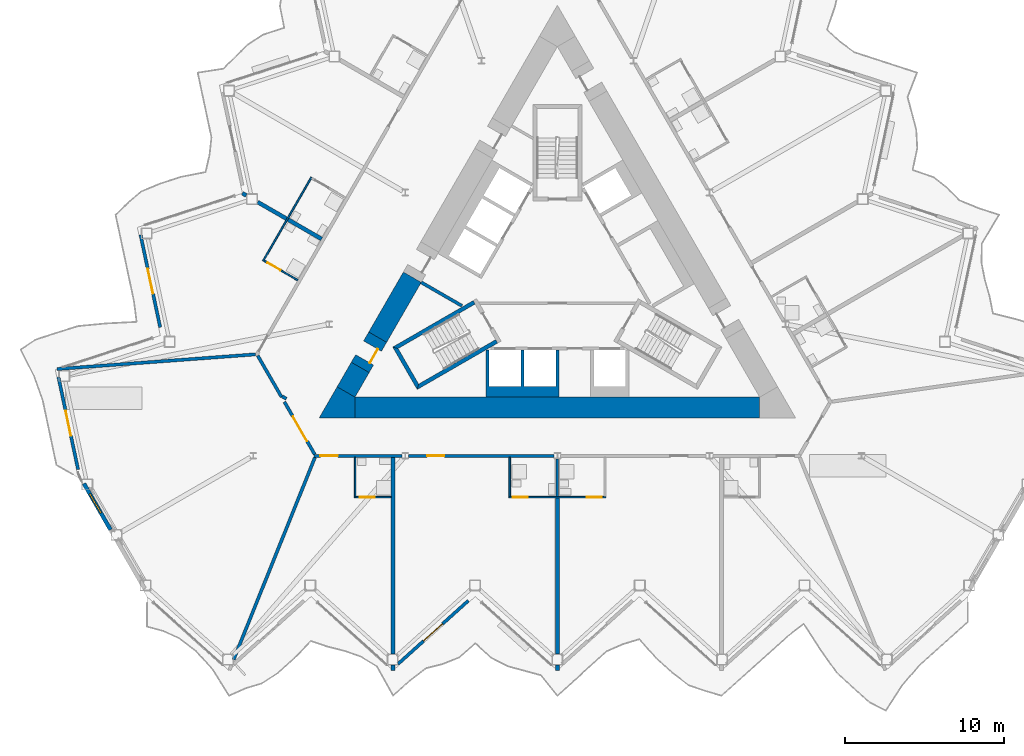
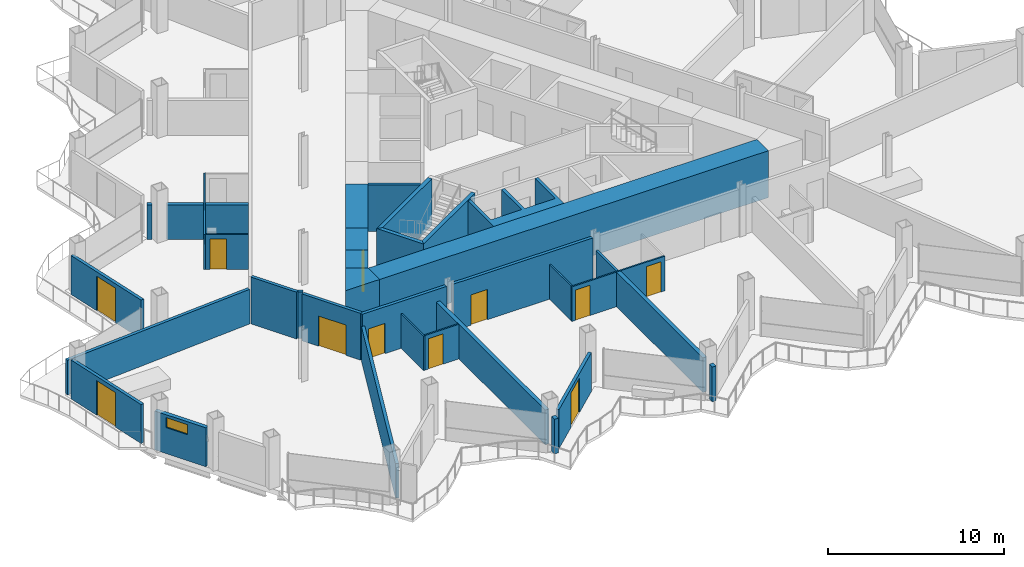
# One storey, part 11 of 24: 34 walls, 11 doors, 1 window, 12 openings.
"""IFC4 building model written with IfcOpenShell, lengths in metres."""

from ifc_helpers import new_model, si_unit, direction, frame, frame_2d, origin, place, context, subcontext, project, spatial, polyline, rectangle, outline, extrude, material, layer, layer_set, type_object, element, fill, save


model = new_model("IFC4")

# Units and contexts
model_context = context("Model", 3, precision=1e-05, world=origin(), true_north=direction((0.0, 1.0)))
body_context = subcontext(model_context, "Body", "Model", "MODEL_VIEW")
ifc_project = project(units=[si_unit("LENGTHUNIT", "METRE"), si_unit("AREAUNIT", "SQUARE_METRE"), si_unit("VOLUMEUNIT", "CUBIC_METRE"), si_unit("PLANEANGLEUNIT", "RADIAN"), si_unit("MASSUNIT", "GRAM", prefix="KILO")], contexts=[model_context])

# Site, building, storey
site_placement = place(None, origin())
site = spatial("IfcSite", under=ifc_project, at=site_placement, CompositionType="ELEMENT")
building_placement = place(site_placement, origin())
building = spatial("IfcBuilding", under=site, at=building_placement, Name="Cormorant Prow Tower", CompositionType="ELEMENT")
storey_placement = place(building_placement, frame((0.0, 0.0, 238.199951171875)))
storey = spatial("IfcBuildingStorey", under=building, at=storey_placement, Name="L52", CompositionType="ELEMENT", Elevation=238.199951171875)

# Walls
ifc_material_1 = material(Name="Concrete 8000 psi", Category="concrete")
ifc_layer_1 = layer(ifc_material_1, 1.300048828125)
ifc_layer_set_1 = layer_set([ifc_layer_1], Name="Concrete 8000 psi")
wall_type_1 = type_object("IfcWallType", Name="Core shear wall 1300", PredefinedType="SHEAR", material=ifc_layer_set_1)
wall_1_placement = place(storey_placement, frame((-12.748291015625, -8.01025390625, 0.0), z_axis=(0.0, 0.0, 1.0), x_axis=(1.0, 0.0, 0.0)))
element("IfcWall", 1, at=wall_1_placement, inside=storey, type_object=wall_type_1, Name="Core wall", PredefinedType="SHEAR", context=body_context, shape_type="SweptSolid", body=[
    extrude(rectangle(XDim=25.49658203125, YDim=1.300048828125, at=frame_2d((12.748291015625, 0.0))), origin(), (0.0, 0.0, 1.0), 3.25),
])
wall_2_placement = place(storey_placement, frame((-9.13720703125, 0.194580078125, 0.0), z_axis=(0.0, 0.0, 1.0), x_axis=(-0.499985697398, -0.866033661238, 0.0)))
element("IfcWall", 2, at=wall_2_placement, inside=storey, type_object=wall_type_1, Name="Core wall", PredefinedType="SHEAR", context=body_context, shape_type="SweptSolid", body=[
    extrude(rectangle(XDim=4.362060546875, YDim=1.300048828125, at=frame_2d((2.18115234375, 0.0))), origin(), (0.0, 0.0, 1.0), 3.25),
])
wall_3_placement = place(storey_placement, frame((-12.418212890625, -5.48828125, 0.0), z_axis=(0.0, 0.0, 1.0), x_axis=(-0.499931460552, -0.866064971437, 0.0)))
element("IfcWall", 3, at=wall_3_placement, inside=storey, type_object=wall_type_1, Name="Core wall", PredefinedType="SHEAR", context=body_context, shape_type="SweptSolid", body=[
    extrude(rectangle(XDim=1.786376953125, YDim=1.300048828125, at=frame_2d((0.89306640625, 0.0))), origin(), (0.0, 0.0, 1.0), 3.25),
])
wall_4_placement = place(storey_placement, origin())
element("IfcWall", 4, at=wall_4_placement, inside=storey, type_object=wall_type_1, Name="Core wall corner", PredefinedType="SHEAR", context=body_context, shape_type="SweptSolid", body=[
    extrude(outline(polyline([(-13.874267578125, -6.710205078125), (-12.748291015625, -7.3603515625), (-12.748291015625, -8.660400390625), (-15.0, -8.660400390625), (-13.874267578125, -6.710205078125)])), origin(), (0.0, 0.0, 1.0), 3.25),
])

# Wall, opening, door
wall_5_placement = place(storey_placement, frame((-11.318115234375, -3.5830078125, 0.0), z_axis=(0.0, 0.0, 1.0), x_axis=(-0.50002983664, -0.866008176907, 0.0)))
wall_5 = element("IfcWall", 5, at=wall_5_placement, inside=storey, type_object=wall_type_1, Name="Core wall door panel", PredefinedType="SHEAR", context=body_context, shape_type="SweptSolid", body=[
    extrude(rectangle(XDim=2.199951171875, YDim=1.300048828125, at=frame_2d((1.10009765625, 0.0))), origin(), (0.0, 0.0, 1.0), 3.25),
])
opening_1_placement = place(wall_5_placement, frame((0.64990234375, 0.0, 0.0)))
opening_1 = element("IfcOpeningElement", 6, at=opening_1_placement, cuts=wall_5, Name="Opening L52-C14", PredefinedType="OPENING", context=body_context, shape_type="SweptSolid", body=[
    extrude(rectangle(XDim=1.0, YDim=2.10009765625, at=frame_2d((0.5, 1.050048828125))), frame((0.0, 0.659912109375, 0.0), z_axis=(0.0, -1.0, 0.0), x_axis=(1.0, 0.0, 0.0)), (0.0, 0.0, 1.0), 1.320068359375),
])
ifc_material_2 = material(Name="Painted steel", Category="steel")
door_type_1 = type_object("IfcDoorType", Name="Service door 1000x2100", OperationType="NOTDEFINED", PredefinedType="DOOR", material=ifc_material_2)
door_1_placement = place(opening_1_placement, origin())
door_1 = element("IfcDoor", 7, at=door_1_placement, inside=storey, type_object=door_type_1, Name="Core door, Housekeeping store", OperationType="SINGLE_SWING_LEFT", OverallHeight=2.10009765625, OverallWidth=1.0, PredefinedType="DOOR", context=body_context, shape_type="SweptSolid", body=[
    extrude(rectangle(XDim=1.0, YDim=2.10009765625, at=frame_2d((0.5, 1.050048828125))), frame((0.0, 0.40478515625, 0.0), z_axis=(0.0, -1.0, 0.0), x_axis=(1.0, 0.0, 0.0)), (0.0, 0.0, 1.0), 0.050048828125),
])
fill(opening_1, door_1)

ifc_material_3 = material(Name="Gypsum board corridor wall")
ifc_layer_2 = layer(ifc_material_3, 0.199951171875)
ifc_layer_set_2 = layer_set([ifc_layer_2], Name="Gypsum board corridor wall")
wall_type_2 = type_object("IfcWallType", Name="Corridor wall 200", PredefinedType="PARTITIONING", material=ifc_layer_set_2)
wall_6_placement = place(storey_placement, frame((-9.368896484375, -11.060302734375, 0.0), z_axis=(0.0, 0.0, 1.0), x_axis=(1.0, 0.0, 0.0)))
wall_6 = element("IfcWall", 8, at=wall_6_placement, inside=storey, type_object=wall_type_2, Name="Corridor wall", PredefinedType="PARTITIONING", context=body_context, shape_type="SweptSolid", body=[
    extrude(rectangle(XDim=9.159423828125, YDim=0.199951171875, at=frame_2d((4.57958984375, 0.0))), origin(), (0.0, 0.0, 1.0), 3.25),
])
opening_2_placement = place(wall_6_placement, frame((1.1572265625, 0.0, 0.0)))
opening_2 = element("IfcOpeningElement", 9, at=opening_2_placement, cuts=wall_6, Name="Opening L52-F03", PredefinedType="OPENING", context=body_context, shape_type="SweptSolid", body=[
    extrude(rectangle(XDim=1.10009765625, YDim=2.10009765625, at=frame_2d((0.550048828125, 1.050048828125))), frame((0.0, 0.10986328125, 0.0), z_axis=(0.0, -1.0, 0.0), x_axis=(1.0, 0.0, 0.0)), (0.0, 0.0, 1.0), 0.219970703125),
])
ifc_material_4 = material(Name="Timber door leaf", Category="wood")
door_type_2 = type_object("IfcDoorType", Name="Suite entrance door 1100x2100", OperationType="NOTDEFINED", PredefinedType="DOOR", material=ifc_material_4)
door_2_placement = place(opening_2_placement, origin())
door_2 = element("IfcDoor", 10, at=door_2_placement, inside=storey, type_object=door_type_2, Name="Junior suite door", OperationType="SINGLE_SWING_RIGHT", OverallHeight=2.10009765625, OverallWidth=1.10009765625, PredefinedType="DOOR", context=body_context, shape_type="SweptSolid", body=[
    extrude(rectangle(XDim=1.10009765625, YDim=2.10009765625, at=frame_2d((0.550048828125, 1.050048828125))), frame((0.0, 0.02490234375, 0.0), z_axis=(0.0, -1.0, 0.0), x_axis=(1.0, 0.0, 0.0)), (0.0, 0.0, 1.0), 0.050048828125),
])
fill(opening_2, door_2)

wall_7_placement = place(storey_placement, frame((-15.330810546875, -11.060302734375, 0.0), z_axis=(0.0, 0.0, 1.0), x_axis=(1.0, 0.0, 0.0)))
wall_7 = element("IfcWall", 11, at=wall_7_placement, inside=storey, type_object=wall_type_2, Name="Corridor wall", PredefinedType="PARTITIONING", context=body_context, shape_type="SweptSolid", body=[
    extrude(rectangle(XDim=5.542724609375, YDim=0.199951171875, at=frame_2d((2.771484375, 0.0))), origin(), (0.0, 0.0, 1.0), 3.25),
])
opening_3_placement = place(wall_7_placement, frame((0.403076171875, 0.0, 0.0)))
opening_3 = element("IfcOpeningElement", 12, at=opening_3_placement, cuts=wall_7, Name="Opening L52-F01", PredefinedType="OPENING", context=body_context, shape_type="SweptSolid", body=[
    extrude(rectangle(XDim=1.10009765625, YDim=2.10009765625, at=frame_2d((0.550048828125, 1.050048828125))), frame((0.0, 0.10986328125, 0.0), z_axis=(0.0, -1.0, 0.0), x_axis=(1.0, 0.0, 0.0)), (0.0, 0.0, 1.0), 0.219970703125),
])
door_3_placement = place(opening_3_placement, origin())
door_3 = element("IfcDoor", 13, at=door_3_placement, inside=storey, type_object=door_type_2, Name="Junior suite door", OperationType="SINGLE_SWING_LEFT", OverallHeight=2.10009765625, OverallWidth=1.10009765625, PredefinedType="DOOR", context=body_context, shape_type="SweptSolid", body=[
    extrude(rectangle(XDim=1.10009765625, YDim=2.10009765625, at=frame_2d((0.550048828125, 1.050048828125))), frame((0.0, 0.02490234375, 0.0), z_axis=(0.0, -1.0, 0.0), x_axis=(1.0, 0.0, 0.0)), (0.0, 0.0, 1.0), 0.050048828125),
])
fill(opening_3, door_3)

wall_8_placement = place(storey_placement, frame((-17.19384765625, -7.660400390625, 0.0), z_axis=(0.0, 0.0, 1.0), x_axis=(0.499989446428, -0.866031496806, 0.0)))
wall_8 = element("IfcWall", 14, at=wall_8_placement, inside=storey, type_object=wall_type_2, Name="Corridor wall", PredefinedType="PARTITIONING", context=body_context, shape_type="SweptSolid", body=[
    extrude(rectangle(XDim=3.82568359375, YDim=0.199951171875, at=frame_2d((1.912841796875, 0.0))), origin(), (0.0, 0.0, 1.0), 3.25),
])
opening_4_placement = place(wall_8_placement, frame((1.06396484375, 0.0, 0.0)))
opening_4 = element("IfcOpeningElement", 15, at=opening_4_placement, cuts=wall_8, Name="Opening L52-F26", PredefinedType="OPENING", context=body_context, shape_type="SweptSolid", body=[
    extrude(rectangle(XDim=1.800048828125, YDim=2.10009765625, at=frame_2d((0.89990234375, 1.050048828125))), frame((0.0, 0.10986328125, 0.0), z_axis=(0.0, -1.0, 0.0), x_axis=(1.0, 0.0, 0.0)), (0.0, 0.0, 1.0), 0.219970703125),
])
ifc_material_5 = material(Name="Timber door leaf", Category="wood")
door_type_3 = type_object("IfcDoorType", Name="Double door 1800x2100", OperationType="DOUBLE_DOOR_SINGLE_SWING", PredefinedType="DOOR", material=ifc_material_5)
door_4_placement = place(opening_4_placement, origin())
door_4 = element("IfcDoor", 16, at=door_4_placement, inside=storey, type_object=door_type_3, Name="Co-working space door", OperationType="DOUBLE_DOOR_SINGLE_SWING", OverallHeight=2.10009765625, OverallWidth=1.800048828125, PredefinedType="DOOR", context=body_context, shape_type="SweptSolid", body=[
    extrude(rectangle(XDim=1.800048828125, YDim=2.10009765625, at=frame_2d((0.89990234375, 1.050048828125))), frame((0.0, 0.02490234375, 0.0), z_axis=(0.0, -1.0, 0.0), x_axis=(1.0, 0.0, 0.0)), (0.0, 0.0, 1.0), 0.050048828125),
])
fill(opening_4, door_4)

# Walls
wall_9_placement = place(storey_placement, frame((-18.8759765625, -4.746826171875, 0.0), z_axis=(0.0, 0.0, 1.0), x_axis=(0.499952404951, -0.866052881055, 0.0)))
element("IfcWall", 17, at=wall_9_placement, inside=storey, type_object=wall_type_2, Name="Corridor wall", PredefinedType="PARTITIONING", context=body_context, shape_type="SweptSolid", body=[
    extrude(rectangle(XDim=3.002197265625, YDim=0.199951171875, at=frame_2d((1.5009765625, 0.0))), origin(), (0.0, 0.0, 1.0), 3.25),
])
wall_10_placement = place(storey_placement, frame((-17.33837890625, -7.310302734375, 0.0), z_axis=(0.0, 0.0, 1.0), x_axis=(0.866054481515, -0.499949632511, 0.0)))
element("IfcWall", 18, at=wall_10_placement, inside=storey, type_object=wall_type_2, Name="Corridor wall", PredefinedType="PARTITIONING", context=body_context, shape_type="SweptSolid", body=[
    extrude(rectangle(XDim=0.31005859375, YDim=0.199951171875, at=frame_2d((0.155029296875, 0.0))), origin(), (0.0, 0.0, 1.0), 3.25),
])
ifc_material_6 = material(Name="Gypsum board demising wall")
ifc_layer_3 = layer(ifc_material_6, 0.199951171875)
ifc_layer_set_3 = layer_set([ifc_layer_3], Name="Gypsum board demising wall")
wall_type_3 = type_object("IfcWallType", Name="Demising wall 200", PredefinedType="PARTITIONING", material=ifc_layer_set_3)
wall_11_placement = place(storey_placement, frame((-20.39306640625, -23.89697265625, 0.0), z_axis=(0.0, 0.0, 1.0), x_axis=(0.373096979113, 0.927792349708, 0.0)))
element("IfcWall", 19, at=wall_11_placement, inside=storey, type_object=wall_type_3, Name="Demising wall", PredefinedType="PARTITIONING", context=body_context, shape_type="SweptSolid", body=[
    extrude(rectangle(XDim=13.73583984375, YDim=0.199951171875, at=frame_2d((6.867919921875, 0.0))), origin(), (0.0, 0.0, 1.0), 2.404296875),
])
wall_12_placement = place(storey_placement, frame((-31.51806640625, -5.589599609375, 0.0), z_axis=(0.0, 0.0, 1.0), x_axis=(0.99728681237, 0.073613951618, 0.0)))
element("IfcWall", 20, at=wall_12_placement, inside=storey, type_object=wall_type_3, Name="Demising wall", PredefinedType="PARTITIONING", context=body_context, shape_type="SweptSolid", body=[
    extrude(rectangle(XDim=12.5263671875, YDim=0.199951171875, at=frame_2d((6.26318359375, 0.0))), origin(), (0.0, 0.0, 1.0), 2.404296875),
])

# Wall, openings, doors
ifc_material_7 = material(Name="Gypsum board partition")
ifc_layer_4 = layer(ifc_material_7, 0.10009765625)
ifc_layer_set_4 = layer_set([ifc_layer_4], Name="Gypsum board partition")
wall_type_4 = type_object("IfcWallType", Name="Internal partition 100", PredefinedType="PARTITIONING", material=ifc_layer_set_4)
wall_13_placement = place(storey_placement, frame((-3.050048828125, -13.660400390625, 0.0), z_axis=(0.0, 0.0, 1.0), x_axis=(1.0, 0.0, 0.0)))
wall_13 = element("IfcWall", 21, at=wall_13_placement, inside=storey, type_object=wall_type_4, Name="Internal partition", PredefinedType="PARTITIONING", context=body_context, shape_type="SweptSolid", body=[
    extrude(rectangle(XDim=6.10009765625, YDim=0.10009765625, at=frame_2d((3.050048828125, 0.0))), origin(), (0.0, 0.0, 1.0), 2.404296875),
])
opening_5_placement = place(wall_13_placement, frame((0.25, 0.0, 0.0)))
opening_5 = element("IfcOpeningElement", 22, at=opening_5_placement, cuts=wall_13, Name="Opening L52-F04", PredefinedType="OPENING", context=body_context, shape_type="SweptSolid", body=[
    extrude(rectangle(XDim=0.949951171875, YDim=2.10009765625, at=frame_2d((0.47509765625, 1.050048828125))), frame((0.0, 0.06005859375, 0.0), z_axis=(0.0, -1.0, 0.0), x_axis=(1.0, 0.0, 0.0)), (0.0, 0.0, 1.0), 0.1201171875),
])
opening_6_placement = place(wall_13_placement, frame((4.89990234375, 0.0, 0.0)))
opening_6 = element("IfcOpeningElement", 23, at=opening_6_placement, cuts=wall_13, Name="Opening L52-F06", PredefinedType="OPENING", context=body_context, shape_type="SweptSolid", body=[
    extrude(rectangle(XDim=0.949951171875, YDim=2.10009765625, at=frame_2d((0.47509765625, 1.050048828125))), frame((0.0, 0.06005859375, 0.0), z_axis=(0.0, -1.0, 0.0), x_axis=(1.0, 0.0, 0.0)), (0.0, 0.0, 1.0), 0.1201171875),
])
ifc_material_8 = material(Name="Timber door leaf", Category="wood")
door_type_4 = type_object("IfcDoorType", Name="Bathroom door 950x2100", OperationType="NOTDEFINED", PredefinedType="DOOR", material=ifc_material_8)
door_5_placement = place(opening_5_placement, origin())
door_5 = element("IfcDoor", 24, at=door_5_placement, inside=storey, type_object=door_type_4, Name="Junior suite door", OperationType="SINGLE_SWING_LEFT", OverallHeight=2.10009765625, OverallWidth=0.949951171875, PredefinedType="DOOR", context=body_context, shape_type="SweptSolid", body=[
    extrude(rectangle(XDim=0.949951171875, YDim=2.10009765625, at=frame_2d((0.47509765625, 1.050048828125))), frame((0.0, 0.02490234375, 0.0), z_axis=(0.0, -1.0, 0.0), x_axis=(1.0, 0.0, 0.0)), (0.0, 0.0, 1.0), 0.050048828125),
])
fill(opening_5, door_5)
door_6_placement = place(opening_6_placement, origin())
door_6 = element("IfcDoor", 25, at=door_6_placement, inside=storey, type_object=door_type_4, Name="Junior suite door", OperationType="SINGLE_SWING_RIGHT", OverallHeight=2.10009765625, OverallWidth=0.949951171875, PredefinedType="DOOR", context=body_context, shape_type="SweptSolid", body=[
    extrude(rectangle(XDim=0.949951171875, YDim=2.10009765625, at=frame_2d((0.47509765625, 1.050048828125))), frame((0.0, 0.02490234375, 0.0), z_axis=(0.0, -1.0, 0.0), x_axis=(1.0, 0.0, 0.0)), (0.0, 0.0, 1.0), 0.050048828125),
])
fill(opening_6, door_6)

# Wall
wall_14_placement = place(storey_placement, frame((-18.539306640625, 1.209716796875, 0.0), z_axis=(0.0, 0.0, 1.0), x_axis=(0.500008851346, 0.866020293397, 0.0)))
element("IfcWall", 26, at=wall_14_placement, inside=storey, type_object=wall_type_4, Name="Internal partition", PredefinedType="PARTITIONING", context=body_context, shape_type="SweptSolid", body=[
    extrude(rectangle(XDim=6.10009765625, YDim=0.10009765625, at=frame_2d((3.050048828125, 0.0))), origin(), (0.0, 0.0, 1.0), 2.404296875),
])

# Wall, opening, door
wall_15_placement = place(storey_placement, frame((-18.470947265625, 1.22802734375, 0.0), z_axis=(0.0, 0.0, 1.0), x_axis=(0.866057815567, -0.499943856944, 0.0)))
wall_15 = element("IfcWall", 27, at=wall_15_placement, inside=storey, type_object=wall_type_4, Name="Internal partition", PredefinedType="PARTITIONING", context=body_context, shape_type="SweptSolid", body=[
    extrude(rectangle(XDim=2.449951171875, YDim=0.10009765625, at=frame_2d((1.22509765625, 0.0))), origin(), (0.0, 0.0, 1.0), 2.404296875),
])
opening_7_placement = place(wall_15_placement, frame((0.25, 0.0, 0.0)))
opening_7 = element("IfcOpeningElement", 28, at=opening_7_placement, cuts=wall_15, Name="Opening L52-F25", PredefinedType="OPENING", context=body_context, shape_type="SweptSolid", body=[
    extrude(rectangle(XDim=0.949951171875, YDim=2.10009765625, at=frame_2d((0.47509765625, 1.050048828125))), frame((0.0, 0.06005859375, 0.0), z_axis=(0.0, -1.0, 0.0), x_axis=(1.0, 0.0, 0.0)), (0.0, 0.0, 1.0), 0.1201171875),
])
door_7_placement = place(opening_7_placement, origin())
door_7 = element("IfcDoor", 29, at=door_7_placement, inside=storey, type_object=door_type_4, Name="Executive suite bedroom door", OperationType="SINGLE_SWING_LEFT", OverallHeight=2.10009765625, OverallWidth=0.949951171875, PredefinedType="DOOR", context=body_context, shape_type="SweptSolid", body=[
    extrude(rectangle(XDim=0.949951171875, YDim=2.10009765625, at=frame_2d((0.47509765625, 1.050048828125))), frame((0.0, 0.02490234375, 0.0), z_axis=(0.0, -1.0, 0.0), x_axis=(1.0, 0.0, 0.0)), (0.0, 0.0, 1.0), 0.050048828125),
])
fill(opening_7, door_7)

# Walls
wall_16_placement = place(storey_placement, frame((-12.743896484375, -13.710205078125, 0.0), z_axis=(0.0, 0.0, 1.0), x_axis=(0.0, 1.0, 0.0)))
element("IfcWall", 30, at=wall_16_placement, inside=storey, type_object=wall_type_4, Name="Internal partition", PredefinedType="PARTITIONING", context=body_context, shape_type="SweptSolid", body=[
    extrude(rectangle(XDim=2.5498046875, YDim=0.10009765625, at=frame_2d((1.27490234375, 0.0))), origin(), (0.0, 0.0, 1.0), 2.404296875),
])
wall_17_placement = place(storey_placement, frame((-3.0, -13.6103515625, 0.0), z_axis=(0.0, 0.0, 1.0), x_axis=(0.0, 1.0, 0.0)))
element("IfcWall", 31, at=wall_17_placement, inside=storey, type_object=wall_type_4, Name="Internal partition", PredefinedType="PARTITIONING", context=body_context, shape_type="SweptSolid", body=[
    extrude(rectangle(XDim=2.449951171875, YDim=0.10009765625, at=frame_2d((1.22509765625, 0.0))), origin(), (0.0, 0.0, 1.0), 2.404296875),
])

# Wall, opening, door
wall_18_placement = place(storey_placement, frame((-12.69384765625, -13.660400390625, 0.0), z_axis=(0.0, 0.0, 1.0), x_axis=(1.0, 0.0, 0.0)))
wall_18 = element("IfcWall", 32, at=wall_18_placement, inside=storey, type_object=wall_type_4, Name="Internal partition", PredefinedType="PARTITIONING", context=body_context, shape_type="SweptSolid", body=[
    extrude(rectangle(XDim=2.22509765625, YDim=0.10009765625, at=frame_2d((1.112548828125, 0.0))), origin(), (0.0, 0.0, 1.0), 2.404296875),
])
opening_8_placement = place(wall_18_placement, frame((0.25, 0.0, 0.0)))
opening_8 = element("IfcOpeningElement", 33, at=opening_8_placement, cuts=wall_18, Name="Opening L52-F02", PredefinedType="OPENING", context=body_context, shape_type="SweptSolid", body=[
    extrude(rectangle(XDim=0.949951171875, YDim=2.10009765625, at=frame_2d((0.47509765625, 1.050048828125))), frame((0.0, 0.06005859375, 0.0), z_axis=(0.0, -1.0, 0.0), x_axis=(1.0, 0.0, 0.0)), (0.0, 0.0, 1.0), 0.1201171875),
])
door_8_placement = place(opening_8_placement, origin())
door_8 = element("IfcDoor", 34, at=door_8_placement, inside=storey, type_object=door_type_4, Name="Junior suite door", OperationType="SINGLE_SWING_LEFT", OverallHeight=2.10009765625, OverallWidth=0.949951171875, PredefinedType="DOOR", context=body_context, shape_type="SweptSolid", body=[
    extrude(rectangle(XDim=0.949951171875, YDim=2.10009765625, at=frame_2d((0.47509765625, 1.050048828125))), frame((0.0, 0.02490234375, 0.0), z_axis=(0.0, -1.0, 0.0), x_axis=(1.0, 0.0, 0.0)), (0.0, 0.0, 1.0), 0.050048828125),
])
fill(opening_8, door_8)

# Walls
ifc_material_9 = material(Name="Concrete 8000 psi", Category="concrete")
ifc_layer_5 = layer(ifc_material_9, 0.199951171875)
ifc_layer_set_5 = layer_set([ifc_layer_5], Name="Concrete 8000 psi")
wall_type_5 = type_object("IfcWallType", Name="Lift shaft wall 200", PredefinedType="SHEAR", material=ifc_layer_set_5)
wall_19_placement = place(storey_placement, origin())
element("IfcWall", 35, at=wall_19_placement, inside=storey, type_object=wall_type_5, Name="Lift shaft walls, S block", PredefinedType="SHEAR", context=body_context, shape_type="SweptSolid", body=[
    extrude(outline(polyline([(0.10009765625, -7.3603515625), (-4.5, -7.3603515625), (-4.5, -4.39990234375), (-4.300048828125, -4.39990234375), (-4.300048828125, -6.699951171875), (-2.300048828125, -6.699951171875), (-2.300048828125, -4.39990234375), (-2.10009765625, -4.39990234375), (-2.10009765625, -6.699951171875), (-0.10009765625, -6.699951171875), (-0.10009765625, -4.39990234375), (0.10009765625, -4.39990234375), (0.10009765625, -7.3603515625)])), origin(), (0.0, 0.0, 1.0), 3.25),
])
wall_20_placement = place(storey_placement, origin())
element("IfcWall", 36, at=wall_20_placement, inside=storey, type_object=wall_type_5, Name="Lift shaft walls, WNW block", PredefinedType="SHEAR", context=body_context, shape_type="SweptSolid", body=[
    extrude(outline(polyline([(-8.524169921875, -0.043701171875), (-8.130859375, -0.27099609375), (-5.96044921875, -1.52392578125), (-6.060546875, -1.697021484375), (-8.230712890625, -0.444091796875), (-8.624267578125, -0.217041015625), (-8.524169921875, -0.043701171875)])), origin(), (0.0, 0.0, 1.0), 3.25),
])
ifc_material_10 = material(Name="Concrete 8000 psi", Category="concrete")
ifc_layer_6 = layer(ifc_material_10, 0.25)
ifc_layer_set_6 = layer_set([ifc_layer_6], Name="Concrete 8000 psi")
wall_type_6 = type_object("IfcWallType", Name="Stair wall 250", PredefinedType="SHEAR", material=ifc_layer_set_6)
wall_21_placement = place(storey_placement, origin())
element("IfcWall", 37, at=wall_21_placement, inside=storey, type_object=wall_type_6, Name="Stair ST1 enclosure wall (flank)", PredefinedType="SHEAR", context=body_context, shape_type="SweptSolid", body=[
    extrude(outline(polyline([(-5.30712890625, -1.28125), (-10.37353515625, -4.206298828125), (-10.031982421875, -4.2978515625), (-5.18212890625, -1.497802734375), (-5.30712890625, -1.28125)])), origin(), (0.0, 0.0, 1.0), 3.25),
])
wall_22_placement = place(storey_placement, origin())
element("IfcWall", 38, at=wall_22_placement, inside=storey, type_object=wall_type_6, Name="Stair ST1 enclosure wall (end)", PredefinedType="SHEAR", context=body_context, shape_type="SweptSolid", body=[
    extrude(outline(polyline([(-10.37353515625, -4.206298828125), (-8.82958984375, -6.880615234375), (-8.738037109375, -6.5390625), (-10.031982421875, -4.2978515625), (-10.37353515625, -4.206298828125)])), origin(), (0.0, 0.0, 1.0), 3.25),
])
wall_23_placement = place(storey_placement, origin())
element("IfcWall", 39, at=wall_23_placement, inside=storey, type_object=wall_type_6, Name="Stair ST1 enclosure wall (flank)", PredefinedType="SHEAR", context=body_context, shape_type="SweptSolid", body=[
    extrude(outline(polyline([(-8.738037109375, -6.5390625), (-8.82958984375, -6.880615234375), (-3.76318359375, -3.95556640625), (-3.88818359375, -3.739013671875), (-8.738037109375, -6.5390625)])), origin(), (0.0, 0.0, 1.0), 3.25),
])
ifc_material_11 = material(Name="Acoustic gypsum party wall")
ifc_layer_7 = layer(ifc_material_11, 0.25)
ifc_layer_set_7 = layer_set([ifc_layer_7], Name="Acoustic gypsum party wall")
wall_type_7 = type_object("IfcWallType", Name="Suite party wall 250", PredefinedType="PARTITIONING", material=ifc_layer_set_7)
wall_24_placement = place(storey_placement, frame((-10.34375, -23.52685546875, 0.0), z_axis=(0.0, 0.0, 1.0), x_axis=(0.0, 1.0, 0.0)))
element("IfcWall", 40, at=wall_24_placement, inside=storey, type_object=wall_type_7, Name="Suite party wall", PredefinedType="PARTITIONING", context=body_context, shape_type="SweptSolid", body=[
    extrude(rectangle(XDim=12.366455078125, YDim=0.25, at=frame_2d((6.18310546875, 0.0))), origin(), (0.0, 0.0, 1.0), 2.404296875),
])
wall_25_placement = place(storey_placement, frame((0.0, -23.52685546875, 0.0), z_axis=(0.0, 0.0, 1.0), x_axis=(0.0, 1.0, 0.0)))
element("IfcWall", 41, at=wall_25_placement, inside=storey, type_object=wall_type_7, Name="Suite party wall", PredefinedType="PARTITIONING", context=body_context, shape_type="SweptSolid", body=[
    extrude(rectangle(XDim=9.816650390625, YDim=0.25, at=frame_2d((4.908203125, 0.0))), origin(), (0.0, 0.0, 1.0), 2.404296875),
])
wall_26_placement = place(storey_placement, frame((-18.875, 4.925537109375, 0.0), z_axis=(0.0, 0.0, 1.0), x_axis=(0.866014168242, -0.500019460026, 0.0)))
element("IfcWall", 42, at=wall_26_placement, inside=storey, type_object=wall_type_7, Name="Suite party wall", PredefinedType="PARTITIONING", context=body_context, shape_type="SweptSolid", body=[
    extrude(rectangle(XDim=4.648681640625, YDim=0.25, at=frame_2d((2.32421875, 0.0))), origin(), (0.0, 0.0, 1.0), 2.404296875),
])
for number, where, z_axis, x_axis, name in (
    (43, (-10.34375, -24.57958984375, 0.0), (0.0, 0.0, 1.0), (0.0, 1.0, 0.0), "Suite party wall"),
    (44, (0.0, -24.57958984375, 0.0), (0.0, 0.0, 1.0), (0.0, 1.0, 0.0), "Suite party wall"),
):
    element("IfcWall", number, at=place(storey_placement, frame(where, z_axis=z_axis, x_axis=x_axis)), inside=storey, type_object=wall_type_7, Name=name, PredefinedType="PARTITIONING", context=body_context, shape_type="SweptSolid", body=[
        extrude(rectangle(XDim=0.332763671875, YDim=0.25, at=frame_2d((0.16650390625, 0.0))), origin(), (0.0, 0.0, 1.0), 2.404296875),
    ])
wall_27_placement = place(storey_placement, frame((-19.839599609375, 5.482421875, 0.0), z_axis=(0.0, 0.0, 1.0), x_axis=(0.865998287773, -0.500046963369, 0.0)))
element("IfcWall", 45, at=wall_27_placement, inside=storey, type_object=wall_type_7, Name="Suite party wall", PredefinedType="PARTITIONING", context=body_context, shape_type="SweptSolid", body=[
    extrude(rectangle(XDim=0.2822265625, YDim=0.25, at=frame_2d((0.14111328125, 0.0))), origin(), (0.0, 0.0, 1.0), 2.404296875),
])

# Wall, opening, window
ifc_material_12 = material(Name="Terracotta", Category="masonry")
ifc_layer_8 = layer(ifc_material_12, 0.25)
ifc_layer_set_8 = layer_set([ifc_layer_8], Name="Terracotta")
wall_type_8 = type_object("IfcWallType", Name="Terracotta bay wall 250", PredefinedType="SOLIDWALL", material=ifc_layer_set_8)
wall_28_placement = place(storey_placement, frame((-29.82470703125, -12.804931640625, 0.0), z_axis=(0.0, 0.0, 1.0), x_axis=(0.500003693016, -0.86602327161, 0.0)))
wall_28 = element("IfcWall", 46, at=wall_28_placement, inside=storey, type_object=wall_type_8, Name="Terracotta bay wall WSW00", PredefinedType="SOLIDWALL", context=body_context, shape_type="SweptSolid", body=[
    extrude(rectangle(XDim=3.3564453125, YDim=0.25, at=frame_2d((1.67822265625, 0.0))), origin(), (0.0, 0.0, 1.0), 2.700927734375),
])
opening_9_placement = place(wall_28_placement, frame((0.75, 0.0, 1.800048828125)))
opening_9 = element("IfcOpeningElement", 47, at=opening_9_placement, cuts=wall_28, Name="Opening WN4", PredefinedType="OPENING", context=body_context, shape_type="SweptSolid", body=[
    extrude(rectangle(XDim=1.39990234375, YDim=0.699951171875, at=frame_2d((0.699951171875, 0.35009765625))), frame((0.0, 0.135009765625, 0.0), z_axis=(0.0, -1.0, 0.0), x_axis=(1.0, 0.0, 0.0)), (0.0, 0.0, 1.0), 0.27001953125),
])
ifc_material_13 = material(Name="Aluminium 6063-T6", Category="aluminium")
window_type = type_object("IfcWindowType", Name="Corner bay window 1400x700", PartitioningType="SINGLE_PANEL", PredefinedType="WINDOW", material=ifc_material_13)
window_placement = place(opening_9_placement, origin())
window = element("IfcWindow", 48, at=window_placement, inside=storey, type_object=window_type, Name="Corner bay window WSW00", OverallHeight=0.699951171875, OverallWidth=1.39990234375, PartitioningType="SINGLE_PANEL", PredefinedType="WINDOW", context=body_context, shape_type="SweptSolid", body=[
    extrude(rectangle(XDim=1.39990234375, YDim=0.699951171875, at=frame_2d((0.699951171875, 0.35009765625))), frame((0.0, 0.030029296875, 0.0), z_axis=(0.0, -1.0, 0.0), x_axis=(1.0, 0.0, 0.0)), (0.0, 0.0, 1.0), 0.06005859375),
])
fill(opening_9, window)

# Wall, opening, door
ifc_material_14 = material(Name="Terracotta", Category="masonry")
ifc_layer_9 = layer(ifc_material_14, 0.199951171875)
ifc_layer_set_9 = layer_set([ifc_layer_9], Name="Terracotta")
wall_type_9 = type_object("IfcWallType", Name="Terracotta jamb wall 200", PredefinedType="SOLIDWALL", material=ifc_layer_set_9)
wall_29_placement = place(storey_placement, frame((-10.038330078125, -24.170166015625, 0.0), z_axis=(0.0, 0.0, 1.0), x_axis=(0.743143336638, 0.669132259878, 0.0)))
wall_29 = element("IfcWall", 49, at=wall_29_placement, inside=storey, type_object=wall_type_9, Name="Terracotta jamb wall S03", PredefinedType="SOLIDWALL", context=body_context, shape_type="SweptSolid", body=[
    extrude(rectangle(XDim=5.95751953125, YDim=0.199951171875, at=frame_2d((2.978759765625, 0.0))), origin(), (0.0, 0.0, 1.0), 2.700927734375),
])
opening_10_placement = place(wall_29_placement, frame((2.1787109375, 0.0, 0.0)))
opening_10 = element("IfcOpeningElement", 50, at=opening_10_placement, cuts=wall_29, Name="Opening ED52.02", PredefinedType="OPENING", context=body_context, shape_type="SweptSolid", body=[
    extrude(rectangle(XDim=1.60009765625, YDim=2.39990234375, at=frame_2d((0.800048828125, 1.199951171875))), frame((0.0, 0.10986328125, 0.0), z_axis=(0.0, -1.0, 0.0), x_axis=(1.0, 0.0, 0.0)), (0.0, 0.0, 1.0), 0.219970703125),
])
ifc_material_15 = material(Name="Aluminium 6063-T6", Category="aluminium")
door_type_5 = type_object("IfcDoorType", Name="Balcony door 1600x2400", OperationType="DOUBLE_DOOR_SINGLE_SWING", PredefinedType="DOOR", material=ifc_material_15)
door_9_placement = place(opening_10_placement, origin())
door_9 = element("IfcDoor", 51, at=door_9_placement, inside=storey, type_object=door_type_5, Name="Balcony door S03 ED52.02", OperationType="DOUBLE_DOOR_SINGLE_SWING", OverallHeight=2.39990234375, OverallWidth=1.60009765625, PredefinedType="DOOR", context=body_context, shape_type="SweptSolid", body=[
    extrude(rectangle(XDim=1.60009765625, YDim=2.39990234375, at=frame_2d((0.800048828125, 1.199951171875))), frame((0.0, 0.02490234375, 0.0), z_axis=(0.0, -1.0, 0.0), x_axis=(1.0, 0.0, 0.0)), (0.0, 0.0, 1.0), 0.050048828125),
])
fill(opening_10, door_9)

wall_30_placement = place(storey_placement, frame((-26.256591796875, 2.862548828125, 0.0), z_axis=(0.0, 0.0, 1.0), x_axis=(0.207930802022, -0.978143538327, 0.0)))
wall_30 = element("IfcWall", 52, at=wall_30_placement, inside=storey, type_object=wall_type_9, Name="Terracotta jamb wall WNW07", PredefinedType="SOLIDWALL", context=body_context, shape_type="SweptSolid", body=[
    extrude(rectangle(XDim=5.95751953125, YDim=0.199951171875, at=frame_2d((2.978759765625, 0.0))), origin(), (0.0, 0.0, 1.0), 2.700927734375),
])
opening_11_placement = place(wall_30_placement, frame((2.1787109375, 0.0, 0.0)))
opening_11 = element("IfcOpeningElement", 53, at=opening_11_placement, cuts=wall_30, Name="Opening ED52.14", PredefinedType="OPENING", context=body_context, shape_type="SweptSolid", body=[
    extrude(rectangle(XDim=1.60009765625, YDim=2.39990234375, at=frame_2d((0.800048828125, 1.199951171875))), frame((0.0, 0.10986328125, 0.0), z_axis=(0.0, -1.0, 0.0), x_axis=(1.0, 0.0, 0.0)), (0.0, 0.0, 1.0), 0.219970703125),
])
door_10_placement = place(opening_11_placement, origin())
door_10 = element("IfcDoor", 54, at=door_10_placement, inside=storey, type_object=door_type_5, Name="Balcony door WNW07 ED52.14", OperationType="DOUBLE_DOOR_SINGLE_SWING", OverallHeight=2.39990234375, OverallWidth=1.60009765625, PredefinedType="DOOR", context=body_context, shape_type="SweptSolid", body=[
    extrude(rectangle(XDim=1.60009765625, YDim=2.39990234375, at=frame_2d((0.800048828125, 1.199951171875))), frame((0.0, 0.02490234375, 0.0), z_axis=(0.0, -1.0, 0.0), x_axis=(1.0, 0.0, 0.0)), (0.0, 0.0, 1.0), 0.050048828125),
])
fill(opening_11, door_10)

wall_31_placement = place(storey_placement, frame((-31.428466796875, -6.095458984375, 0.0), z_axis=(0.0, 0.0, 1.0), x_axis=(0.207939137045, -0.978141766456, 0.0)))
wall_31 = element("IfcWall", 55, at=wall_31_placement, inside=storey, type_object=wall_type_9, Name="Terracotta jamb wall WNW09", PredefinedType="SOLIDWALL", context=body_context, shape_type="SweptSolid", body=[
    extrude(rectangle(XDim=5.957275390625, YDim=0.199951171875, at=frame_2d((2.978515625, 0.0))), origin(), (0.0, 0.0, 1.0), 2.700927734375),
])
opening_12_placement = place(wall_31_placement, frame((2.1787109375, 0.0, 0.0)))
opening_12 = element("IfcOpeningElement", 56, at=opening_12_placement, cuts=wall_31, Name="Opening ED52.15", PredefinedType="OPENING", context=body_context, shape_type="SweptSolid", body=[
    extrude(rectangle(XDim=1.60009765625, YDim=2.39990234375, at=frame_2d((0.800048828125, 1.199951171875))), frame((0.0, 0.10986328125, 0.0), z_axis=(0.0, -1.0, 0.0), x_axis=(1.0, 0.0, 0.0)), (0.0, 0.0, 1.0), 0.219970703125),
])
door_11_placement = place(opening_12_placement, origin())
door_11 = element("IfcDoor", 57, at=door_11_placement, inside=storey, type_object=door_type_5, Name="Balcony door WNW09 ED52.15", OperationType="DOUBLE_DOOR_SINGLE_SWING", OverallHeight=2.39990234375, OverallWidth=1.60009765625, PredefinedType="DOOR", context=body_context, shape_type="SweptSolid", body=[
    extrude(rectangle(XDim=1.60009765625, YDim=2.39990234375, at=frame_2d((0.800048828125, 1.199951171875))), frame((0.0, 0.02490234375, 0.0), z_axis=(0.0, -1.0, 0.0), x_axis=(1.0, 0.0, 0.0)), (0.0, 0.0, 1.0), 0.050048828125),
])
fill(opening_12, door_11)

# Wall
ifc_material_16 = material(Name="Plasterboard wet wall with pipe chase")
ifc_layer_10 = layer(ifc_material_16, 0.14990234375)
ifc_layer_set_10 = layer_set([ifc_layer_10], Name="Plasterboard wet wall with pipe chase")
wall_type_10 = type_object("IfcWallType", Name="Wet wall 150", PredefinedType="PLUMBINGWALL", material=ifc_layer_set_10)
wall_32_placement = place(storey_placement, frame((0.0, -13.6103515625, 0.0), z_axis=(0.0, 0.0, 1.0), x_axis=(0.0, 1.0, 0.0)))
element("IfcWall", 58, at=wall_32_placement, inside=storey, type_object=wall_type_10, Name="Wet wall", PredefinedType="PLUMBINGWALL", context=body_context, shape_type="SweptSolid", body=[
    extrude(rectangle(XDim=2.340576171875, YDim=0.14990234375, at=frame_2d((1.17041015625, 0.0))), origin(), (0.0, 0.0, 1.0), 2.404296875),
])

save(model, "model.ifc")
